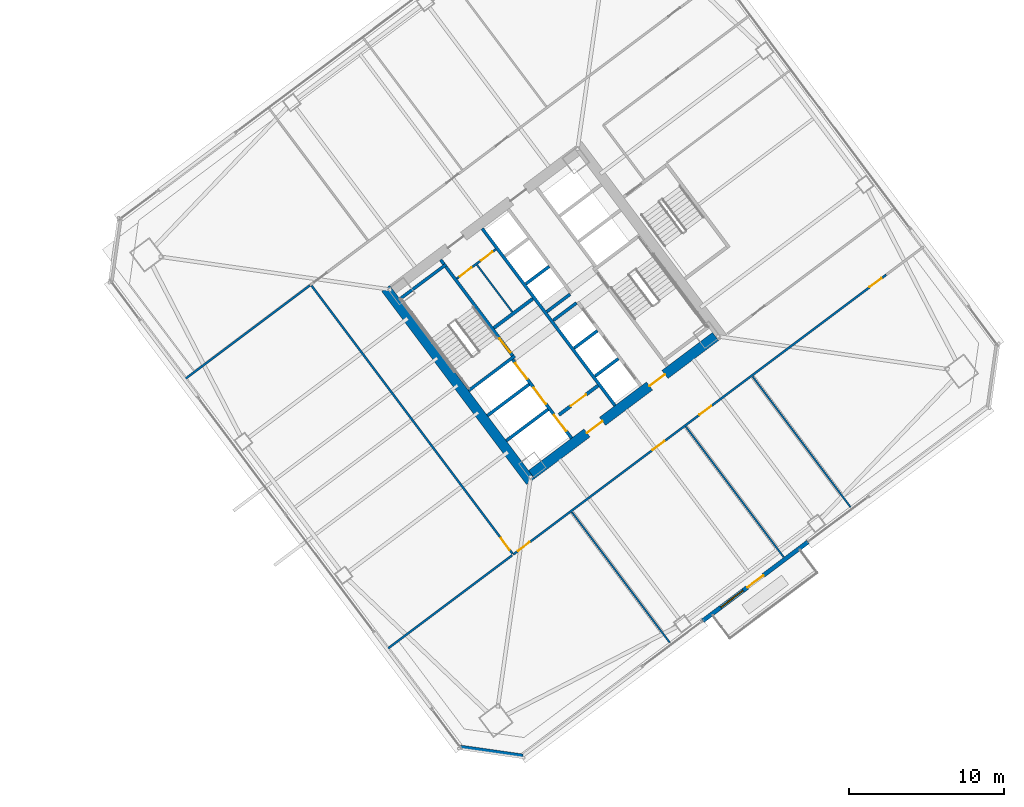
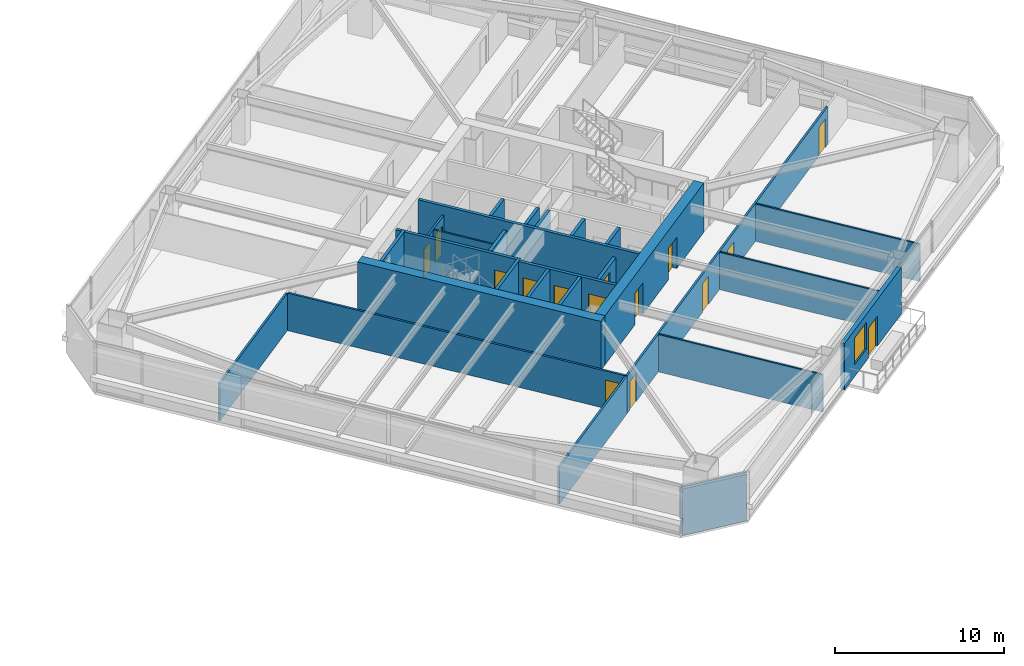
# One storey, part 39 of 48: 27 walls, 15 doors, 1 window, 16 openings.
"""IFC4 building model written with IfcOpenShell, lengths in metres."""

from ifc_helpers import new_model, si_unit, direction, frame, frame_2d, origin, place, context, subcontext, project, spatial, rectangle, extrude, material, layer, layer_set, type_object, element, fill, save


model = new_model("IFC4")

# Units and contexts
model_context = context("Model", 3, precision=1e-05, world=origin(), true_north=direction((0.0, 1.0)))
body_context = subcontext(model_context, "Body", "Model", "MODEL_VIEW")
ifc_project = project(units=[si_unit("LENGTHUNIT", "METRE"), si_unit("AREAUNIT", "SQUARE_METRE"), si_unit("VOLUMEUNIT", "CUBIC_METRE"), si_unit("PLANEANGLEUNIT", "RADIAN"), si_unit("MASSUNIT", "GRAM", prefix="KILO")], contexts=[model_context])

# Site, building, storey
site_placement = place(None, origin())
site = spatial("IfcSite", under=ifc_project, at=site_placement, CompositionType="ELEMENT")
building_placement = place(site_placement, origin())
building = spatial("IfcBuilding", under=site, at=building_placement, Name="Tashvorn Skyway Center", CompositionType="ELEMENT")
storey_placement = place(building_placement, frame((0.0, 0.0, 53.0)))
storey = spatial("IfcBuildingStorey", under=building, at=storey_placement, Name="L13", CompositionType="ELEMENT", Elevation=53.0)

# Wall
ifc_material_1 = material(Name="Concrete C60/75", Category="concrete")
ifc_layer_1 = layer(ifc_material_1, 0.64990234375)
ifc_layer_set_1 = layer_set([ifc_layer_1], Name="Concrete C60/75")
wall_type_1 = type_object("IfcWallType", Name="WALL-CORE-650", PredefinedType="SHEAR", material=ifc_layer_set_1)
wall_1_placement = place(storey_placement, frame((112.47607421875, 21.10693359375, 0.0), z_axis=(0.0, 0.0, 1.0), x_axis=(-0.600005007985, 0.799996243986, 0.0)))
element("IfcWall", 1, at=wall_1_placement, inside=storey, type_object=wall_type_1, Name="Tower 2 L13 West Core Shear Wall", PredefinedType="SHEAR", context=body_context, shape_type="SweptSolid", body=[
    extrude(rectangle(XDim=15.60009765625, YDim=0.64990234375, at=frame_2d((7.800048828125, 0.0))), origin(), (0.0, 0.0, 1.0), 3.550048828125),
])

# Wall, openings, doors
wall_2_placement = place(storey_placement, frame((124.428955078125, 30.47802734375, 0.0), z_axis=(0.0, 0.0, 1.0), x_axis=(-0.799998028465, -0.600002628705, 0.0)))
wall_2 = element("IfcWall", 2, at=wall_2_placement, inside=storey, type_object=wall_type_1, Name="Tower 2 L13 South Core Shear Wall", PredefinedType="SHEAR", context=body_context, shape_type="SweptSolid", body=[
    extrude(rectangle(XDim=14.85986328125, YDim=0.64990234375, at=frame_2d((7.429931640625, 0.0))), origin(), (0.0, 0.0, 1.0), 3.550048828125),
])
opening_1_placement = place(wall_2_placement, frame((9.1298828125, 0.0, 0.0)))
opening_1 = element("IfcOpeningElement", 3, at=opening_1_placement, cuts=wall_2, Name="Opening D-FFL-1250", PredefinedType="OPENING", context=body_context, shape_type="SweptSolid", body=[
    extrude(rectangle(XDim=1.25, YDim=2.25, at=frame_2d((0.625, 1.125))), frame((0.0, 0.3349609375, 0.0), z_axis=(0.0, -1.0, 0.0), x_axis=(1.0, 0.0, 0.0)), (0.0, 0.0, 1.0), 0.669921875),
])
opening_2_placement = place(wall_2_placement, frame((4.080078125, 0.0, 0.0)))
opening_2 = element("IfcOpeningElement", 4, at=opening_2_placement, cuts=wall_2, Name="Opening D-FFL-1250", PredefinedType="OPENING", context=body_context, shape_type="SweptSolid", body=[
    extrude(rectangle(XDim=1.25, YDim=2.25, at=frame_2d((0.625, 1.125))), frame((0.0, 0.3349609375, 0.0), z_axis=(0.0, -1.0, 0.0), x_axis=(1.0, 0.0, 0.0)), (0.0, 0.0, 1.0), 0.669921875),
])
ifc_material_2 = material(Name="Hollow galvanized steel fire door assembly", Category="steel")
door_type_1 = type_object("IfcDoorType", Name="DOOR-FFL-1250", OperationType="NOTDEFINED", PredefinedType="DOOR", material=ifc_material_2)
door_1_placement = place(opening_1_placement, origin())
door_1 = element("IfcDoor", 5, at=door_1_placement, inside=storey, type_object=door_type_1, Name="Tower 2 L13 Core South Firefighting Exit Door", OperationType="SINGLE_SWING_LEFT", OverallHeight=2.25, OverallWidth=1.25, PredefinedType="DOOR", context=body_context, shape_type="SweptSolid", body=[
    extrude(rectangle(XDim=1.25, YDim=2.25, at=frame_2d((0.625, 1.125))), frame((0.0, 0.02490234375, 0.0), z_axis=(0.0, -1.0, 0.0), x_axis=(1.0, 0.0, 0.0)), (0.0, 0.0, 1.0), 0.050048828125),
])
fill(opening_1, door_1)
door_2_placement = place(opening_2_placement, origin())
door_2 = element("IfcDoor", 6, at=door_2_placement, inside=storey, type_object=door_type_1, Name="Tower 2 L13 Core South Lift Lobby Door", OperationType="SINGLE_SWING_RIGHT", OverallHeight=2.25, OverallWidth=1.25, PredefinedType="DOOR", context=body_context, shape_type="SweptSolid", body=[
    extrude(rectangle(XDim=1.25, YDim=2.25, at=frame_2d((0.625, 1.125))), frame((0.0, 0.02490234375, 0.0), z_axis=(0.0, -1.0, 0.0), x_axis=(1.0, 0.0, 0.0)), (0.0, 0.0, 1.0), 0.050048828125),
])
fill(opening_2, door_2)

# Wall, openings, door, window
ifc_material_3 = material(Name="Precast concrete C40/50", Category="concrete")
ifc_layer_2 = layer(ifc_material_3, 0.280029296875)
ifc_layer_set_2 = layer_set([ifc_layer_2], Name="Precast concrete C40/50")
wall_type_2 = type_object("IfcWallType", Name="WALL-EXT-280", PredefinedType="SOLIDWALL", material=ifc_layer_set_2)
wall_3_placement = place(storey_placement, frame((130.407958984375, 17.2060546875, 0.0), z_axis=(0.0, 0.0, 1.0), x_axis=(-0.799996553335, -0.600004595526, 0.0)))
wall_3 = element("IfcWall", 7, at=wall_3_placement, inside=storey, type_object=wall_type_2, Name="Tower 2 L13 South Terrace Portal Wall", PredefinedType="SOLIDWALL", context=body_context, shape_type="SweptSolid", body=[
    extrude(rectangle(XDim=8.5, YDim=0.280029296875, at=frame_2d((4.25, 0.0))), origin(), (0.0, 0.0, 1.0), 3.35009765625),
])
opening_3_placement = place(wall_3_placement, frame((3.60009765625, 0.0, 0.0)))
opening_3 = element("IfcOpeningElement", 8, at=opening_3_placement, cuts=wall_3, Name="Opening D-TER-1300", PredefinedType="OPENING", context=body_context, shape_type="SweptSolid", body=[
    extrude(rectangle(XDim=1.300048828125, YDim=2.14990234375, at=frame_2d((0.64990234375, 1.074951171875))), frame((0.0, 0.14990234375, 0.0), z_axis=(0.0, -1.0, 0.0), x_axis=(1.0, 0.0, 0.0)), (0.0, 0.0, 1.0), 0.300048828125),
])
opening_4_placement = place(wall_3_placement, frame((5.239990234375, 0.0, 0.85009765625)))
opening_4 = element("IfcOpeningElement", 9, at=opening_4_placement, cuts=wall_3, Name="Opening WIN-1800", PredefinedType="OPENING", context=body_context, shape_type="SweptSolid", body=[
    extrude(rectangle(XDim=1.800048828125, YDim=1.919921875, at=frame_2d((0.89990234375, 0.9599609375))), frame((0.0, 0.14990234375, 0.0), z_axis=(0.0, -1.0, 0.0), x_axis=(1.0, 0.0, 0.0)), (0.0, 0.0, 1.0), 0.300048828125),
])
ifc_material_4 = material(Name="Thermally broken bronze-anodized aluminium 6063-T6", Category="aluminium")
door_type_2 = type_object("IfcDoorType", Name="DOOR-TERR-1300", OperationType="NOTDEFINED", PredefinedType="DOOR", material=ifc_material_4)
door_3_placement = place(opening_3_placement, origin())
door_3 = element("IfcDoor", 10, at=door_3_placement, inside=storey, type_object=door_type_2, Name="Tower 2 L13 Terrace Access Door", OperationType="SINGLE_SWING_RIGHT", OverallHeight=2.14990234375, OverallWidth=1.300048828125, PredefinedType="DOOR", context=body_context, shape_type="SweptSolid", body=[
    extrude(rectangle(XDim=1.300048828125, YDim=2.14990234375, at=frame_2d((0.64990234375, 1.074951171875))), frame((0.0, 0.02490234375, 0.0), z_axis=(0.0, -1.0, 0.0), x_axis=(1.0, 0.0, 0.0)), (0.0, 0.0, 1.0), 0.050048828125),
])
fill(opening_3, door_3)
ifc_material_5 = material(Name="Low-E solar-control double insulating safety glass", Category="glass")
window_type = type_object("IfcWindowType", Name="WIN-TERR-1800", PartitioningType="SINGLE_PANEL", PredefinedType="WINDOW", material=ifc_material_5)
window_placement = place(opening_4_placement, origin())
window = element("IfcWindow", 11, at=window_placement, inside=storey, type_object=window_type, Name="Tower 2 L13 Terrace Window", OverallHeight=1.919921875, OverallWidth=1.800048828125, PartitioningType="SINGLE_PANEL", PredefinedType="WINDOW", context=body_context, shape_type="SweptSolid", body=[
    extrude(rectangle(XDim=1.800048828125, YDim=1.919921875, at=frame_2d((0.89990234375, 0.9599609375))), frame((0.0, 0.030029296875, 0.0), z_axis=(0.0, -1.0, 0.0), x_axis=(1.0, 0.0, 0.0)), (0.0, 0.0, 1.0), 0.06005859375),
])
fill(opening_4, window)

# Walls
wall_4_placement = place(storey_placement, frame((111.97998046875, 3.360107421875, 0.0), z_axis=(0.0, 0.0, 1.0), x_axis=(-0.989955445613, 0.14137968631, 0.0)))
element("IfcWall", 12, at=wall_4_placement, inside=storey, type_object=wall_type_2, Name="Tower 2 L13 SW Precast Chamfer Wall", PredefinedType="SOLIDWALL", context=body_context, shape_type="SweptSolid", body=[
    extrude(rectangle(XDim=4.101318359375, YDim=0.280029296875, at=frame_2d((2.05078125, 0.0))), origin(), (0.0, 0.0, 1.0), 3.35009765625),
])
ifc_material_6 = material(Name="Concrete C40/50", Category="concrete")
ifc_layer_3 = layer(ifc_material_6, 0.219970703125)
ifc_layer_set_3 = layer_set([ifc_layer_3], Name="Concrete C40/50")
wall_type_3 = type_object("IfcWallType", Name="WALL-FFL-220", PredefinedType="SOLIDWALL", material=ifc_layer_set_3)
wall_5_placement = place(storey_placement, frame((110.10400390625, 31.028076171875, 0.0), z_axis=(0.0, 0.0, 1.0), x_axis=(0.800018601094, 0.59997519774, 0.0)))
element("IfcWall", 13, at=wall_5_placement, inside=storey, type_object=wall_type_3, Name="Tower 2 L13 Firefighting Lobby North Wall", PredefinedType="SOLIDWALL", context=body_context, shape_type="SweptSolid", body=[
    extrude(rectangle(XDim=3.14990234375, YDim=0.219970703125, at=frame_2d((1.574951171875, 0.0))), origin(), (0.0, 0.0, 1.0), 2.702880859375),
])

# Wall, opening, door
wall_6_placement = place(storey_placement, frame((114.31591796875, 25.412109375, 0.0), z_axis=(0.0, 0.0, 1.0), x_axis=(0.800018601094, 0.59997519774, 0.0)))
wall_6 = element("IfcWall", 14, at=wall_6_placement, inside=storey, type_object=wall_type_3, Name="Tower 2 L13 Firefighting Lobby South Wall", PredefinedType="SOLIDWALL", context=body_context, shape_type="SweptSolid", body=[
    extrude(rectangle(XDim=3.14990234375, YDim=0.219970703125, at=frame_2d((1.574951171875, 0.0))), origin(), (0.0, 0.0, 1.0), 2.702880859375),
])
opening_5_placement = place(wall_6_placement, frame((0.949951171875, 0.0, 0.0)))
opening_5 = element("IfcOpeningElement", 15, at=opening_5_placement, cuts=wall_6, Name="Opening D-FFL-1250", PredefinedType="OPENING", context=body_context, shape_type="SweptSolid", body=[
    extrude(rectangle(XDim=1.25, YDim=2.25, at=frame_2d((0.625, 1.125))), frame((0.0, 0.119873046875, 0.0), z_axis=(0.0, -1.0, 0.0), x_axis=(1.0, 0.0, 0.0)), (0.0, 0.0, 1.0), 0.239990234375),
])
door_4_placement = place(opening_5_placement, origin())
door_4 = element("IfcDoor", 16, at=door_4_placement, inside=storey, type_object=door_type_1, Name="Tower 2 L13 Firefighting Lobby Egress Door", OperationType="SINGLE_SWING_LEFT", OverallHeight=2.25, OverallWidth=1.25, PredefinedType="DOOR", context=body_context, shape_type="SweptSolid", body=[
    extrude(rectangle(XDim=1.25, YDim=2.25, at=frame_2d((0.625, 1.125))), frame((0.0, 0.02490234375, 0.0), z_axis=(0.0, -1.0, 0.0), x_axis=(1.0, 0.0, 0.0)), (0.0, 0.0, 1.0), 0.050048828125),
])
fill(opening_5, door_4)

# Walls
ifc_material_7 = material(Name="Gypsum board on cold-formed steel stud framing", Category="steel")
ifc_layer_4 = layer(ifc_material_7, 0.110107421875)
ifc_layer_set_4 = layer_set([ifc_layer_4], Name="Gypsum board on cold-formed steel stud framing")
wall_type_4 = type_object("IfcWallType", Name="WALL-PART-110", PredefinedType="PARTITIONING", material=ifc_layer_set_4)
wall_7_placement = place(storey_placement, frame((121.47802734375, 10.696044921875, 0.0), z_axis=(0.0, 0.0, 1.0), x_axis=(-0.600007405188, 0.799994446056, 0.0)))
element("IfcWall", 17, at=wall_7_placement, inside=storey, type_object=wall_type_4, Name="Tower 2 L13 South Suite Partition 1", PredefinedType="PARTITIONING", context=body_context, shape_type="SweptSolid", body=[
    extrude(rectangle(XDim=10.550048828125, YDim=0.110107421875, at=frame_2d((5.27490234375, 0.0))), origin(), (0.0, 0.0, 1.0), 2.702880859375),
])
wall_8_placement = place(storey_placement, frame((128.837890625, 16.216064453125, 0.0), z_axis=(0.0, 0.0, 1.0), x_axis=(-0.599992594658, 0.800005553953, 0.0)))
element("IfcWall", 18, at=wall_8_placement, inside=storey, type_object=wall_type_4, Name="Tower 2 L13 South Suite Partition 2", PredefinedType="PARTITIONING", context=body_context, shape_type="SweptSolid", body=[
    extrude(rectangle(XDim=10.5498046875, YDim=0.110107421875, at=frame_2d((5.27490234375, 0.0))), origin(), (0.0, 0.0, 1.0), 2.702880859375),
])
wall_9_placement = place(storey_placement, frame((133.157958984375, 19.4560546875, 0.0), z_axis=(0.0, 0.0, 1.0), x_axis=(-0.600007405188, 0.799994446056, 0.0)))
element("IfcWall", 19, at=wall_9_placement, inside=storey, type_object=wall_type_4, Name="Tower 2 L13 South Suite Partition 3", PredefinedType="PARTITIONING", context=body_context, shape_type="SweptSolid", body=[
    extrude(rectangle(XDim=10.550048828125, YDim=0.110107421875, at=frame_2d((5.27490234375, 0.0))), origin(), (0.0, 0.0, 1.0), 2.702880859375),
])

# Wall, openings, doors
ifc_layer_5 = layer(ifc_material_7, 0.135009765625)
ifc_layer_set_5 = layer_set([ifc_layer_5], Name="Gypsum board on cold-formed steel stud framing")
wall_type_5 = type_object("IfcWallType", Name="WALL-PART-135", PredefinedType="PARTITIONING", material=ifc_layer_set_5)
wall_10_placement = place(storey_placement, frame((135.4599609375, 34.469970703125, 0.0), z_axis=(0.0, 0.0, 1.0), x_axis=(-0.800001944698, -0.59999740706, 0.0)))
wall_10 = element("IfcWall", 20, at=wall_10_placement, inside=storey, type_object=wall_type_5, Name="Tower 2 L13 South Suite Wall", PredefinedType="PARTITIONING", context=body_context, shape_type="SweptSolid", body=[
    extrude(rectangle(XDim=30.1298828125, YDim=0.135009765625, at=frame_2d((15.06494140625, 0.0))), origin(), (0.0, 0.0, 1.0), 2.702880859375),
])
opening_6_placement = place(wall_10_placement, frame((28.800048828125, 0.0, 0.0)))
opening_6 = element("IfcOpeningElement", 21, at=opening_6_placement, cuts=wall_10, Name="Opening D-INT-950", PredefinedType="OPENING", context=body_context, shape_type="SweptSolid", body=[
    extrude(rectangle(XDim=0.949951171875, YDim=2.050048828125, at=frame_2d((0.47509765625, 1.02490234375))), frame((0.0, 0.077392578125, 0.0), z_axis=(0.0, -1.0, 0.0), x_axis=(1.0, 0.0, 0.0)), (0.0, 0.0, 1.0), 0.155029296875),
])
opening_7_placement = place(wall_10_placement, frame((17.92138671875, 0.0, 0.0)))
opening_7 = element("IfcOpeningElement", 22, at=opening_7_placement, cuts=wall_10, Name="Opening D-INT-950", PredefinedType="OPENING", context=body_context, shape_type="SweptSolid", body=[
    extrude(rectangle(XDim=0.949951171875, YDim=2.050048828125, at=frame_2d((0.47509765625, 1.02490234375))), frame((0.0, 0.077392578125, 0.0), z_axis=(0.0, -1.0, 0.0), x_axis=(1.0, 0.0, 0.0)), (0.0, 0.0, 1.0), 0.155029296875),
])
opening_8_placement = place(wall_10_placement, frame((14.12939453125, 0.0, 0.0)))
opening_8 = element("IfcOpeningElement", 23, at=opening_8_placement, cuts=wall_10, Name="Opening D-INT-950", PredefinedType="OPENING", context=body_context, shape_type="SweptSolid", body=[
    extrude(rectangle(XDim=0.949951171875, YDim=2.050048828125, at=frame_2d((0.47509765625, 1.02490234375))), frame((0.0, 0.077392578125, 0.0), z_axis=(0.0, -1.0, 0.0), x_axis=(1.0, 0.0, 0.0)), (0.0, 0.0, 1.0), 0.155029296875),
])
opening_9_placement = place(wall_10_placement, frame((0.3798828125, 0.0, 0.0)))
opening_9 = element("IfcOpeningElement", 24, at=opening_9_placement, cuts=wall_10, Name="Opening D-INT-950", PredefinedType="OPENING", context=body_context, shape_type="SweptSolid", body=[
    extrude(rectangle(XDim=0.949951171875, YDim=2.050048828125, at=frame_2d((0.47509765625, 1.02490234375))), frame((0.0, 0.077392578125, 0.0), z_axis=(0.0, -1.0, 0.0), x_axis=(1.0, 0.0, 0.0)), (0.0, 0.0, 1.0), 0.155029296875),
])
ifc_material_8 = material(Name="Solid-core architectural oak veneer door")
door_type_3 = type_object("IfcDoorType", Name="DOOR-INT-950", OperationType="NOTDEFINED", PredefinedType="DOOR", material=ifc_material_8)
door_5_placement = place(opening_6_placement, origin())
door_5 = element("IfcDoor", 25, at=door_5_placement, inside=storey, type_object=door_type_3, Name="Tower 2 L13 Gallery Showroom Door", OperationType="SINGLE_SWING_LEFT", OverallHeight=2.050048828125, OverallWidth=0.949951171875, PredefinedType="DOOR", context=body_context, shape_type="SweptSolid", body=[
    extrude(rectangle(XDim=0.949951171875, YDim=2.050048828125, at=frame_2d((0.47509765625, 1.02490234375))), frame((0.0, 0.02490234375, 0.0), z_axis=(0.0, -1.0, 0.0), x_axis=(1.0, 0.0, 0.0)), (0.0, 0.0, 1.0), 0.050048828125),
])
fill(opening_6, door_5)
door_6_placement = place(opening_7_placement, origin())
door_6 = element("IfcDoor", 26, at=door_6_placement, inside=storey, type_object=door_type_3, Name="Tower 2 L13 Corporate Office Door", OperationType="SINGLE_SWING_RIGHT", OverallHeight=2.050048828125, OverallWidth=0.949951171875, PredefinedType="DOOR", context=body_context, shape_type="SweptSolid", body=[
    extrude(rectangle(XDim=0.949951171875, YDim=2.050048828125, at=frame_2d((0.47509765625, 1.02490234375))), frame((0.0, 0.02490234375, 0.0), z_axis=(0.0, -1.0, 0.0), x_axis=(1.0, 0.0, 0.0)), (0.0, 0.0, 1.0), 0.050048828125),
])
fill(opening_7, door_6)
door_7_placement = place(opening_8_placement, origin())
door_7 = element("IfcDoor", 27, at=door_7_placement, inside=storey, type_object=door_type_3, Name="Tower 2 L13 Corporate Office Door", OperationType="SINGLE_SWING_LEFT", OverallHeight=2.050048828125, OverallWidth=0.949951171875, PredefinedType="DOOR", context=body_context, shape_type="SweptSolid", body=[
    extrude(rectangle(XDim=0.949951171875, YDim=2.050048828125, at=frame_2d((0.47509765625, 1.02490234375))), frame((0.0, 0.02490234375, 0.0), z_axis=(0.0, -1.0, 0.0), x_axis=(1.0, 0.0, 0.0)), (0.0, 0.0, 1.0), 0.050048828125),
])
fill(opening_8, door_7)
door_8_placement = place(opening_9_placement, origin())
door_8 = element("IfcDoor", 28, at=door_8_placement, inside=storey, type_object=door_type_3, Name="Tower 2 L13 Collaborative Studio Door", OperationType="SINGLE_SWING_RIGHT", OverallHeight=2.050048828125, OverallWidth=0.949951171875, PredefinedType="DOOR", context=body_context, shape_type="SweptSolid", body=[
    extrude(rectangle(XDim=0.949951171875, YDim=2.050048828125, at=frame_2d((0.47509765625, 1.02490234375))), frame((0.0, 0.02490234375, 0.0), z_axis=(0.0, -1.0, 0.0), x_axis=(1.0, 0.0, 0.0)), (0.0, 0.0, 1.0), 0.050048828125),
])
fill(opening_9, door_8)

# Wall, opening, door
wall_11_placement = place(storey_placement, frame((111.30810546875, 16.4560546875, 0.0), z_axis=(0.0, 0.0, 1.0), x_axis=(-0.600003610192, 0.799997292343, 0.0)))
wall_11 = element("IfcWall", 29, at=wall_11_placement, inside=storey, type_object=wall_type_5, Name="Tower 2 L13 West Inner Suite Wall", PredefinedType="PARTITIONING", context=body_context, shape_type="SweptSolid", body=[
    extrude(rectangle(XDim=21.64013671875, YDim=0.135009765625, at=frame_2d((10.820068359375, 0.0))), origin(), (0.0, 0.0, 1.0), 2.702880859375),
])
opening_10_placement = place(wall_11_placement, frame((0.300048828125, 0.0, 0.0)))
opening_10 = element("IfcOpeningElement", 30, at=opening_10_placement, cuts=wall_11, Name="Opening D-INT-950", PredefinedType="OPENING", context=body_context, shape_type="SweptSolid", body=[
    extrude(rectangle(XDim=0.949951171875, YDim=2.050048828125, at=frame_2d((0.47509765625, 1.02490234375))), frame((0.0, 0.077392578125, 0.0), z_axis=(0.0, -1.0, 0.0), x_axis=(1.0, 0.0, 0.0)), (0.0, 0.0, 1.0), 0.155029296875),
])
door_9_placement = place(opening_10_placement, origin())
door_9 = element("IfcDoor", 31, at=door_9_placement, inside=storey, type_object=door_type_3, Name="Tower 2 L13 Collaborative Studio Door", OperationType="SINGLE_SWING_LEFT", OverallHeight=2.050048828125, OverallWidth=0.949951171875, PredefinedType="DOOR", context=body_context, shape_type="SweptSolid", body=[
    extrude(rectangle(XDim=0.949951171875, YDim=2.050048828125, at=frame_2d((0.47509765625, 1.02490234375))), frame((0.0, 0.02490234375, 0.0), z_axis=(0.0, -1.0, 0.0), x_axis=(1.0, 0.0, 0.0)), (0.0, 0.0, 1.0), 0.050048828125),
])
fill(opening_10, door_9)

# Walls
for number, where, z_axis, x_axis, name in (
    (32, (98.2119140625, 33.783935546875, 0.0), (0.0, 0.0, 1.0), (-0.799997105034, -0.600003859935, 0.0), "Tower 2 L13 West Suite North Wall"),
    (33, (103.196044921875, 10.27197265625, 0.0), (0.0, 0.0, 1.0), (0.799997105034, 0.600003859935, 0.0), "Tower 2 L13 West Suite South Wall"),
):
    element("IfcWall", number, at=place(storey_placement, frame(where, z_axis=z_axis, x_axis=x_axis)), inside=storey, type_object=wall_type_5, Name=name, PredefinedType="PARTITIONING", context=body_context, shape_type="SweptSolid", body=[
        extrude(rectangle(XDim=10.119873046875, YDim=0.135009765625, at=frame_2d((5.06005859375, 0.0))), origin(), (0.0, 0.0, 1.0), 2.702880859375),
    ])
ifc_layer_6 = layer(ifc_material_7, 0.110107421875)
ifc_layer_set_6 = layer_set([ifc_layer_6], Name="Gypsum board on cold-formed steel stud framing")
wall_type_6 = type_object("IfcWallType", Name="WALL-RATED-110", PredefinedType="PARTITIONING", material=ifc_layer_set_6)
wall_12_placement = place(storey_placement, frame((111.2958984375, 32.072021484375, 0.0), z_axis=(0.0, 0.0, 1.0), x_axis=(-0.59995887973, 0.800030838552, 0.0)))
element("IfcWall", 34, at=wall_12_placement, inside=storey, type_object=wall_type_6, Name="Tower 2 L13 Core Split Partition", PredefinedType="PARTITIONING", context=body_context, shape_type="SweptSolid", body=[
    extrude(rectangle(XDim=3.7998046875, YDim=0.110107421875, at=frame_2d((1.89990234375, 0.0))), origin(), (0.0, 0.0, 1.0), 2.702880859375),
])

# Wall, openings, doors
ifc_layer_7 = layer(ifc_material_7, 0.135009765625)
ifc_layer_set_7 = layer_set([ifc_layer_7], Name="Gypsum board on cold-formed steel stud framing")
wall_type_7 = type_object("IfcWallType", Name="WALL-RATED-135", PredefinedType="PARTITIONING", material=ifc_layer_set_7)
wall_13_placement = place(storey_placement, frame((107.7099609375, 34.219970703125, 0.0), z_axis=(0.0, 0.0, 1.0), x_axis=(0.799981399002, 0.60002480053, 0.0)))
wall_13 = element("IfcWall", 35, at=wall_13_placement, inside=storey, type_object=wall_type_7, Name="Tower 2 L13 Core Service Lobby Wall", PredefinedType="PARTITIONING", context=body_context, shape_type="SweptSolid", body=[
    extrude(rectangle(XDim=3.150146484375, YDim=0.135009765625, at=frame_2d((1.5751953125, 0.0))), origin(), (0.0, 0.0, 1.0), 2.702880859375),
])
opening_11_placement = place(wall_13_placement, frame((0.25, 0.0, 0.0)))
opening_11 = element("IfcOpeningElement", 36, at=opening_11_placement, cuts=wall_13, Name="Opening D-RT-950", PredefinedType="OPENING", context=body_context, shape_type="SweptSolid", body=[
    extrude(rectangle(XDim=0.949951171875, YDim=2.050048828125, at=frame_2d((0.47509765625, 1.02490234375))), frame((0.0, 0.077392578125, 0.0), z_axis=(0.0, -1.0, 0.0), x_axis=(1.0, 0.0, 0.0)), (0.0, 0.0, 1.0), 0.155029296875),
])
opening_12_placement = place(wall_13_placement, frame((1.949951171875, 0.0, 0.0)))
opening_12 = element("IfcOpeningElement", 37, at=opening_12_placement, cuts=wall_13, Name="Opening D-RT-950", PredefinedType="OPENING", context=body_context, shape_type="SweptSolid", body=[
    extrude(rectangle(XDim=0.949951171875, YDim=2.050048828125, at=frame_2d((0.47509765625, 1.02490234375))), frame((0.0, 0.077392578125, 0.0), z_axis=(0.0, -1.0, 0.0), x_axis=(1.0, 0.0, 0.0)), (0.0, 0.0, 1.0), 0.155029296875),
])
door_type_4 = type_object("IfcDoorType", Name="DOOR-RATED-950", OperationType="NOTDEFINED", PredefinedType="DOOR", material=ifc_material_2)
door_10_placement = place(opening_11_placement, origin())
door_10 = element("IfcDoor", 38, at=door_10_placement, inside=storey, type_object=door_type_4, Name="Tower 2 L13 Core Accessible WC Door", OperationType="SINGLE_SWING_LEFT", OverallHeight=2.050048828125, OverallWidth=0.949951171875, PredefinedType="DOOR", context=body_context, shape_type="SweptSolid", body=[
    extrude(rectangle(XDim=0.949951171875, YDim=2.050048828125, at=frame_2d((0.47509765625, 1.02490234375))), frame((0.0, 0.02490234375, 0.0), z_axis=(0.0, -1.0, 0.0), x_axis=(1.0, 0.0, 0.0)), (0.0, 0.0, 1.0), 0.050048828125),
])
fill(opening_11, door_10)
door_11_placement = place(opening_12_placement, origin())
door_11 = element("IfcDoor", 39, at=door_11_placement, inside=storey, type_object=door_type_4, Name="Tower 2 L13 Core Cleaner Store Door", OperationType="SINGLE_SWING_RIGHT", OverallHeight=2.050048828125, OverallWidth=0.949951171875, PredefinedType="DOOR", context=body_context, shape_type="SweptSolid", body=[
    extrude(rectangle(XDim=0.949951171875, YDim=2.050048828125, at=frame_2d((0.47509765625, 1.02490234375))), frame((0.0, 0.02490234375, 0.0), z_axis=(0.0, -1.0, 0.0), x_axis=(1.0, 0.0, 0.0)), (0.0, 0.0, 1.0), 0.050048828125),
])
fill(opening_12, door_11)

# Walls
ifc_layer_8 = layer(ifc_material_6, 0.199951171875)
ifc_layer_set_8 = layer_set([ifc_layer_8], Name="Concrete C40/50")
wall_type_8 = type_object("IfcWallType", Name="WALL-SHAFT-200", PredefinedType="SOLIDWALL", material=ifc_layer_set_8)
for number, where, z_axis, x_axis, name in (
    (40, (110.906005859375, 23.741943359375, 0.0), (0.0, 0.0, 1.0), (0.8, 0.6, 0.0), "Tower 2 L13 FSAE Shaft Divider"),
    (41, (109.68798828125, 25.365966796875, 0.0), (0.0, 0.0, 1.0), (0.8, 0.6, 0.0), "Tower 2 L13 FSAE Shaft Divider"),
):
    element("IfcWall", number, at=place(storey_placement, frame(where, z_axis=z_axis, x_axis=x_axis)), inside=storey, type_object=wall_type_8, Name=name, PredefinedType="SOLIDWALL", context=body_context, shape_type="SweptSolid", body=[
        extrude(rectangle(XDim=3.380126953125, YDim=0.199951171875, at=frame_2d((1.68994140625, 0.0))), origin(), (0.0, 0.0, 1.0), 3.35009765625),
    ])
wall_14_placement = place(storey_placement, frame((116.64599609375, 27.922119140625, 0.0), z_axis=(0.0, 0.0, 1.0), x_axis=(0.8, 0.6, 0.0)))
element("IfcWall", 42, at=wall_14_placement, inside=storey, type_object=wall_type_8, Name="Tower 2 L13 Low-Rise Shaft Divider", PredefinedType="SOLIDWALL", context=body_context, shape_type="SweptSolid", body=[
    extrude(rectangle(XDim=1.8798828125, YDim=0.199951171875, at=frame_2d((0.93994140625, 0.0))), origin(), (0.0, 0.0, 1.0), 3.35009765625),
])
wall_15_placement = place(storey_placement, frame((115.2958984375, 29.721923828125, 0.0), z_axis=(0.0, 0.0, 1.0), x_axis=(0.799984418148, 0.600020775241, 0.0)))
element("IfcWall", 43, at=wall_15_placement, inside=storey, type_object=wall_type_8, Name="Tower 2 L13 Low-Rise Shaft Divider", PredefinedType="SOLIDWALL", context=body_context, shape_type="SweptSolid", body=[
    extrude(rectangle(XDim=1.880126953125, YDim=0.199951171875, at=frame_2d((0.93994140625, 0.0))), origin(), (0.0, 0.0, 1.0), 3.35009765625),
])
wall_16_placement = place(storey_placement, frame((113.946044921875, 31.52197265625, 0.0), z_axis=(0.0, 0.0, 1.0), x_axis=(0.8, 0.6, 0.0)))
element("IfcWall", 44, at=wall_16_placement, inside=storey, type_object=wall_type_8, Name="Tower 2 L13 Low-Rise Shaft Divider", PredefinedType="SOLIDWALL", context=body_context, shape_type="SweptSolid", body=[
    extrude(rectangle(XDim=1.8798828125, YDim=0.199951171875, at=frame_2d((0.93994140625, 0.0))), origin(), (0.0, 0.0, 1.0), 3.35009765625),
])
wall_17_placement = place(storey_placement, frame((113.52587890625, 32.08203125, 0.0), z_axis=(0.0, 0.0, 1.0), x_axis=(0.800046745961, 0.599937666993, 0.0)))
element("IfcWall", 45, at=wall_17_placement, inside=storey, type_object=wall_type_8, Name="Tower 2 L13 Mid-Rise Shaft Divider", PredefinedType="SOLIDWALL", context=body_context, shape_type="SweptSolid", body=[
    extrude(rectangle(XDim=1.880126953125, YDim=0.199951171875, at=frame_2d((0.93994140625, 0.0))), origin(), (0.0, 0.0, 1.0), 3.35009765625),
])
wall_18_placement = place(storey_placement, frame((112.176025390625, 33.882080078125, 0.0), z_axis=(0.0, 0.0, 1.0), x_axis=(0.8, 0.6, 0.0)))
element("IfcWall", 46, at=wall_18_placement, inside=storey, type_object=wall_type_8, Name="Tower 2 L13 Mid-Rise Shaft Divider", PredefinedType="SOLIDWALL", context=body_context, shape_type="SweptSolid", body=[
    extrude(rectangle(XDim=1.8798828125, YDim=0.199951171875, at=frame_2d((0.93994140625, 0.0))), origin(), (0.0, 0.0, 1.0), 3.35009765625),
])

# Wall, opening, door
ifc_layer_9 = layer(ifc_material_6, 0.199951171875)
ifc_layer_set_9 = layer_set([ifc_layer_9], Name="Concrete C40/50")
wall_type_9 = type_object("IfcWallType", Name="WALL-STSHF-200", PredefinedType="SHEAR", material=ifc_layer_set_9)
wall_19_placement = place(storey_placement, frame((111.43994140625, 29.080078125, 0.0), z_axis=(0.0, 0.0, 1.0), x_axis=(-0.600009827119, 0.799992629566, 0.0)))
wall_19 = element("IfcWall", 47, at=wall_19_placement, inside=storey, type_object=wall_type_9, Name="Tower 2 L13 Stair 1 Enclosure Wall", PredefinedType="SHEAR", context=body_context, shape_type="SweptSolid", body=[
    extrude(rectangle(XDim=7.949951171875, YDim=0.199951171875, at=frame_2d((3.97509765625, 0.0))), origin(), (0.0, 0.0, 1.0), 3.35009765625),
])
opening_13_placement = place(wall_19_placement, frame((0.449951171875, 0.0, 0.0)))
opening_13 = element("IfcOpeningElement", 48, at=opening_13_placement, cuts=wall_19, Name="Opening D-ST-1150", PredefinedType="OPENING", context=body_context, shape_type="SweptSolid", body=[
    extrude(rectangle(XDim=1.14990234375, YDim=2.199951171875, at=frame_2d((0.574951171875, 1.10009765625))), frame((0.0, 0.10986328125, 0.0), z_axis=(0.0, -1.0, 0.0), x_axis=(1.0, 0.0, 0.0)), (0.0, 0.0, 1.0), 0.219970703125),
])
door_type_5 = type_object("IfcDoorType", Name="DOOR-STAIR-1150", OperationType="NOTDEFINED", PredefinedType="DOOR", material=ifc_material_2)
door_12_placement = place(opening_13_placement, origin())
door_12 = element("IfcDoor", 49, at=door_12_placement, inside=storey, type_object=door_type_5, Name="Tower 2 L13 Exit Stair 1 Door", OperationType="SINGLE_SWING_RIGHT", OverallHeight=2.199951171875, OverallWidth=1.14990234375, PredefinedType="DOOR", context=body_context, shape_type="SweptSolid", body=[
    extrude(rectangle(XDim=1.14990234375, YDim=2.199951171875, at=frame_2d((0.574951171875, 1.10009765625))), frame((0.0, 0.02490234375, 0.0), z_axis=(0.0, -1.0, 0.0), x_axis=(1.0, 0.0, 0.0)), (0.0, 0.0, 1.0), 0.050048828125),
])
fill(opening_13, door_12)

# Walls
for number, where, z_axis, x_axis, name in (
    (50, (108.47607421875, 26.98193359375, 0.0), (0.0, 0.0, 1.0), (0.799984290658, 0.600020945218, 0.0), "Tower 2 L13 Stair 1 South Wall"),
    (51, (104.035888671875, 32.902099609375, 0.0), (0.0, 0.0, 1.0), (0.800039270442, 0.59994763584, 0.0), "Tower 2 L13 Stair 1 North Wall"),
):
    element("IfcWall", number, at=place(storey_placement, frame(where, z_axis=z_axis, x_axis=x_axis)), inside=storey, type_object=wall_type_9, Name=name, PredefinedType="SHEAR", context=body_context, shape_type="SweptSolid", body=[
        extrude(rectangle(XDim=3.72998046875, YDim=0.199951171875, at=frame_2d((1.864990234375, 0.0))), origin(), (0.0, 0.0, 1.0), 3.35009765625),
    ])
wall_20_placement = place(storey_placement, frame((117.93798828125, 26.01611328125, 0.0), z_axis=(0.0, 0.0, 1.0), x_axis=(-0.600005463273, 0.799995902516, 0.0)))
element("IfcWall", 52, at=wall_20_placement, inside=storey, type_object=wall_type_9, Name="Tower 2 L13 Firefighting Lobby East Smoke Barrier", PredefinedType="SHEAR", context=body_context, shape_type="SweptSolid", body=[
    extrude(rectangle(XDim=14.300048828125, YDim=0.199951171875, at=frame_2d((7.14990234375, 0.0))), origin(), (0.0, 0.0, 1.0), 3.35009765625),
])

# Wall, openings, doors
wall_21_placement = place(storey_placement, frame((115.1298828125, 23.909912109375, 0.0), z_axis=(0.0, 0.0, 1.0), x_axis=(-0.599975393228, 0.800018454488, 0.0)))
wall_21 = element("IfcWall", 53, at=wall_21_placement, inside=storey, type_object=wall_type_9, Name="Tower 2 L13 FSAE and Goods Shaft Front Wall", PredefinedType="SHEAR", context=body_context, shape_type="SweptSolid", body=[
    extrude(rectangle(XDim=6.349853515625, YDim=0.199951171875, at=frame_2d((3.1748046875, 0.0))), origin(), (0.0, 0.0, 1.0), 3.35009765625),
])
opening_14_placement = place(wall_21_placement, frame((4.77490234375, 0.0, 0.0)))
opening_14 = element("IfcOpeningElement", 54, at=opening_14_placement, cuts=wall_21, Name="Opening LD-FF-T2-1-L13", PredefinedType="OPENING", context=body_context, shape_type="SweptSolid", body=[
    extrude(rectangle(XDim=1.300048828125, YDim=2.25, at=frame_2d((0.64990234375, 1.125))), frame((0.0, 0.10986328125, 0.0), z_axis=(0.0, -1.0, 0.0), x_axis=(1.0, 0.0, 0.0)), (0.0, 0.0, 1.0), 0.219970703125),
])
opening_15_placement = place(wall_21_placement, frame((2.77490234375, 0.0, 0.0)))
opening_15 = element("IfcOpeningElement", 55, at=opening_15_placement, cuts=wall_21, Name="Opening LD-FF-T2-2-L13", PredefinedType="OPENING", context=body_context, shape_type="SweptSolid", body=[
    extrude(rectangle(XDim=1.300048828125, YDim=2.25, at=frame_2d((0.64990234375, 1.125))), frame((0.0, 0.10986328125, 0.0), z_axis=(0.0, -1.0, 0.0), x_axis=(1.0, 0.0, 0.0)), (0.0, 0.0, 1.0), 0.219970703125),
])
opening_16_placement = place(wall_21_placement, frame((0.574951171875, 0.0, 0.0)))
opening_16 = element("IfcOpeningElement", 56, at=opening_16_placement, cuts=wall_21, Name="Opening LD-GD-T2-1-L13", PredefinedType="OPENING", context=body_context, shape_type="SweptSolid", body=[
    extrude(rectangle(XDim=1.300048828125, YDim=2.25, at=frame_2d((0.64990234375, 1.125))), frame((0.0, 0.10986328125, 0.0), z_axis=(0.0, -1.0, 0.0), x_axis=(1.0, 0.0, 0.0)), (0.0, 0.0, 1.0), 0.219970703125),
])
ifc_material_9 = material(Name="Stainless steel heavy-duty landing door", Category="steel")
door_type_6 = type_object("IfcDoorType", Name="DOOR-LIFT-1300", OperationType="SLIDING_TO_LEFT", PredefinedType="DOOR", material=ifc_material_9)
door_13_placement = place(opening_14_placement, origin())
door_13 = element("IfcDoor", 57, at=door_13_placement, inside=storey, type_object=door_type_6, Name="Lift FF-T2-1 L13 Landing Door", OperationType="SLIDING_TO_LEFT", OverallHeight=2.25, OverallWidth=1.300048828125, PredefinedType="DOOR", context=body_context, shape_type="SweptSolid", body=[
    extrude(rectangle(XDim=1.300048828125, YDim=2.25, at=frame_2d((0.64990234375, 1.125))), frame((0.0, 0.02490234375, 0.0), z_axis=(0.0, -1.0, 0.0), x_axis=(1.0, 0.0, 0.0)), (0.0, 0.0, 1.0), 0.050048828125),
])
fill(opening_14, door_13)
door_14_placement = place(opening_15_placement, origin())
door_14 = element("IfcDoor", 58, at=door_14_placement, inside=storey, type_object=door_type_6, Name="Lift FF-T2-2 L13 Landing Door", OperationType="SLIDING_TO_LEFT", OverallHeight=2.25, OverallWidth=1.300048828125, PredefinedType="DOOR", context=body_context, shape_type="SweptSolid", body=[
    extrude(rectangle(XDim=1.300048828125, YDim=2.25, at=frame_2d((0.64990234375, 1.125))), frame((0.0, 0.02490234375, 0.0), z_axis=(0.0, -1.0, 0.0), x_axis=(1.0, 0.0, 0.0)), (0.0, 0.0, 1.0), 0.050048828125),
])
fill(opening_15, door_14)
door_15_placement = place(opening_16_placement, origin())
door_15 = element("IfcDoor", 59, at=door_15_placement, inside=storey, type_object=door_type_6, Name="Lift GD-T2-1 L13 Landing Door", OperationType="SLIDING_TO_LEFT", OverallHeight=2.25, OverallWidth=1.300048828125, PredefinedType="DOOR", context=body_context, shape_type="SweptSolid", body=[
    extrude(rectangle(XDim=1.300048828125, YDim=2.25, at=frame_2d((0.64990234375, 1.125))), frame((0.0, 0.02490234375, 0.0), z_axis=(0.0, -1.0, 0.0), x_axis=(1.0, 0.0, 0.0)), (0.0, 0.0, 1.0), 0.050048828125),
])
fill(opening_16, door_15)

save(model, "model.ifc")
